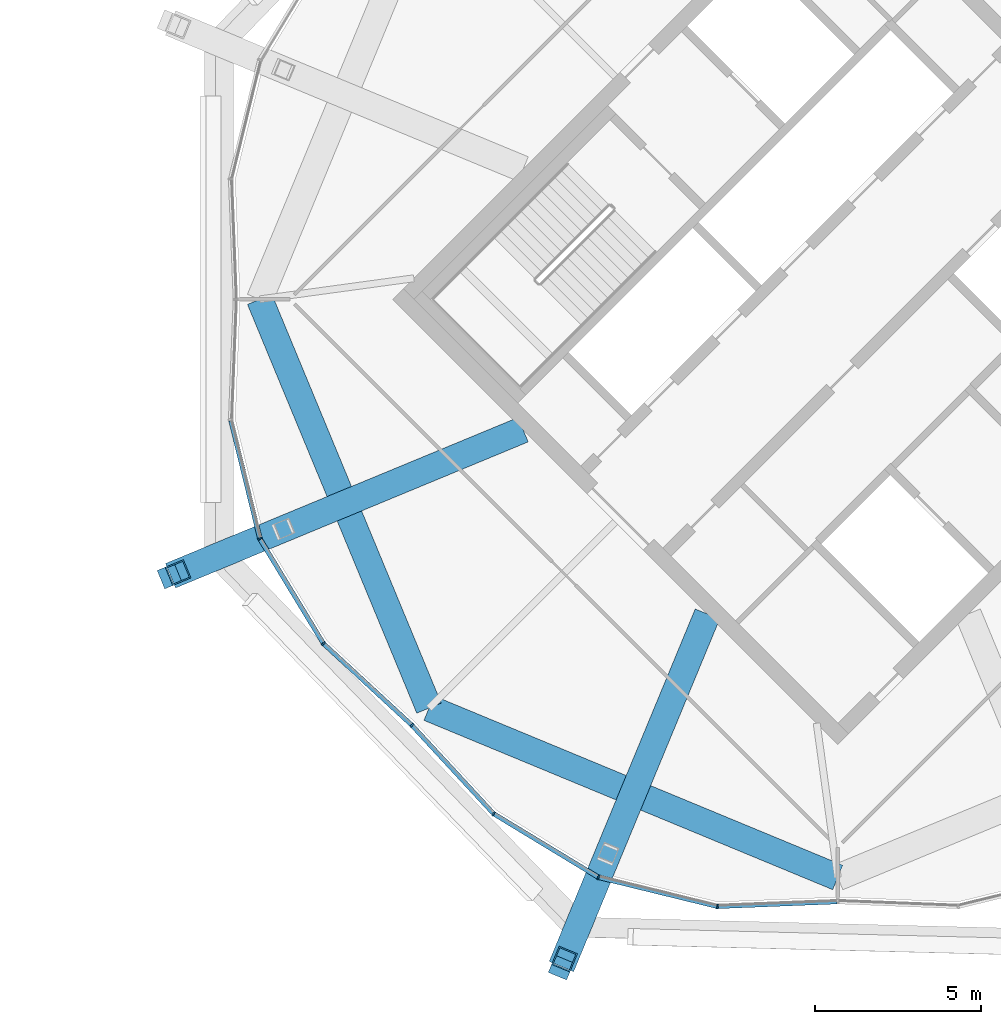
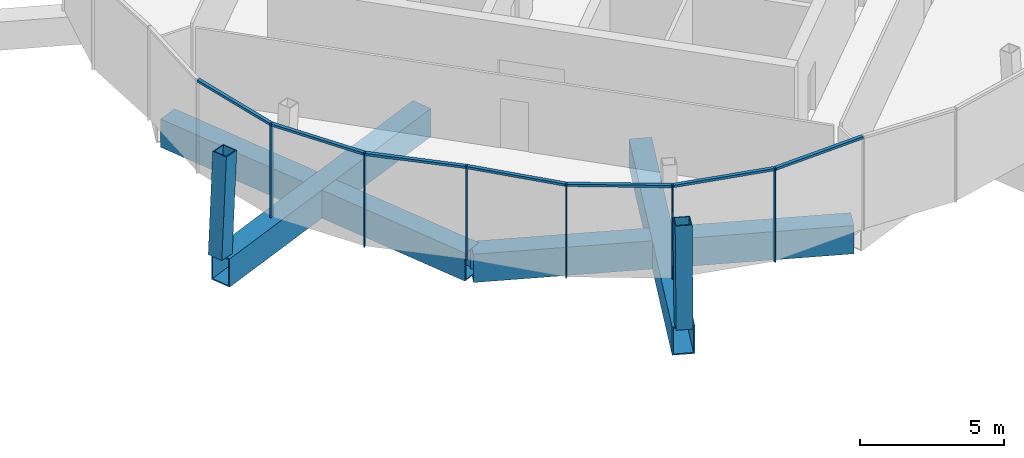
# One storey, part 14 of 34: 15 members, 4 beams, 2 elements without a shape of their own.
"""IFC4 building model written with IfcOpenShell, lengths in metres."""

from ifc_helpers import new_model, si_unit, direction, frame, origin, origin_2d, place, context, subcontext, project, spatial, rectangle, hollow_rectangle, extrude, material, material_profile, profile_set, type_object, element, aggregate, save


model = new_model("IFC4")

# Units and contexts
model_context = context("Model", 3, precision=1e-05, world=origin(), true_north=direction((0.0, 1.0)))
body_context = subcontext(model_context, "Body", "Model", "MODEL_VIEW")
ifc_project = project(units=[si_unit("LENGTHUNIT", "METRE"), si_unit("AREAUNIT", "SQUARE_METRE"), si_unit("VOLUMEUNIT", "CUBIC_METRE"), si_unit("PLANEANGLEUNIT", "RADIAN"), si_unit("MASSUNIT", "GRAM", prefix="KILO")], contexts=[model_context])

# Site, building, storey
site_placement = place(None, origin())
site = spatial("IfcSite", under=ifc_project, at=site_placement, CompositionType="ELEMENT")
building_placement = place(site_placement, origin())
building = spatial("IfcBuilding", under=site, at=building_placement, Name="Ogive Gate Towers", CompositionType="ELEMENT")
storey_placement = place(building_placement, frame((0.0, 0.0, 294.0)))
storey = spatial("IfcBuildingStorey", under=building, at=storey_placement, Name="L69", CompositionType="ELEMENT", Elevation=294.0)

# Curtain wall, members
ifc_material_1 = material(Name="Pale metal aluminium", Category="aluminium")
curtain_wall_type = type_object("IfcCurtainWallType", Name="Crown lean wall", PredefinedType="NOTDEFINED", material=ifc_material_1)
curtain_wall_1_placement = place(storey_placement, origin())
curtain_wall_1 = element("IfcCurtainWall", 1, at=curtain_wall_1_placement, inside=storey, type_object=curtain_wall_type, Name="CW5 T2 ECW05", PredefinedType="NOTDEFINED")
ifc_material_profile_1 = material_profile(ifc_material_1, rectangle(XDim=0.139892578125, YDim=0.050048828125, at=origin_2d()), Name="50 x 140 aluminium box")
ifc_profile_set_1 = profile_set([ifc_material_profile_1], Name="Pale metal aluminium")
member_type_1 = type_object("IfcMemberType", Name="Crown lean wall mullion 50 x 140", PredefinedType="MULLION", material=ifc_profile_set_1)
member_1_placement = place(storey_placement, frame((23.14208984375, -12.859619140625, -0.300048828125), z_axis=(0.0, 0.0, 1.0), x_axis=(0.678557197649, 0.734547567907, 0.0)))
member_1 = element("IfcMember", 2, at=member_1_placement, type_object=member_type_1, Name="CW5 mullion", PredefinedType="MULLION", context=body_context, shape_type="SweptSolid", body=[
    extrude(rectangle(XDim=0.139892578125, YDim=0.050048828125, at=origin_2d()), origin(), (0.0, 0.0, 1.0), 4.0),
])
member_2_placement = place(storey_placement, frame((20.470703125, -10.3916015625, -0.300048828125), z_axis=(0.0, 0.0, 1.0), x_axis=(0.77434847103, 0.632759389826, 0.0)))
member_2 = element("IfcMember", 3, at=member_2_placement, type_object=member_type_1, Name="CW5 mullion", PredefinedType="MULLION", context=body_context, shape_type="SweptSolid", body=[
    extrude(rectangle(XDim=0.139892578125, YDim=0.050048828125, at=origin_2d()), origin(), (0.0, 0.0, 1.0), 4.0),
])
member_3_placement = place(storey_placement, frame((18.551513671875, -7.227294921875, -0.300048828125), z_axis=(0.0, 0.0, 1.0), x_axis=(0.923879532511, 0.382683432365, 0.0)))
member_3 = element("IfcMember", 4, at=member_3_placement, type_object=member_type_1, Name="CW5 mullion", PredefinedType="MULLION", context=body_context, shape_type="SweptSolid", body=[
    extrude(rectangle(XDim=0.139892578125, YDim=0.050048828125, at=origin_2d()), origin(), (0.0, 0.0, 1.0), 4.0),
])

curtain_wall_2_placement = place(storey_placement, origin())
curtain_wall_2 = element("IfcCurtainWall", 5, at=curtain_wall_2_placement, inside=storey, type_object=curtain_wall_type, Name="CW5 T2 ECW06", PredefinedType="NOTDEFINED")
member_4_placement = place(storey_placement, frame((32.366943359375, -18.328857421875, -0.300048828125), z_axis=(0.0, 0.0, 1.0), x_axis=(0.100101233848, 0.99497725752, 0.0)))
member_4 = element("IfcMember", 6, at=member_4_placement, type_object=member_type_1, Name="CW5 mullion", PredefinedType="MULLION", context=body_context, shape_type="SweptSolid", body=[
    extrude(rectangle(XDim=0.139892578125, YDim=0.050048828125, at=origin_2d()), origin(), (0.0, 0.0, 1.0), 4.0),
])
member_5_placement = place(storey_placement, frame((28.772705078125, -17.448486328125, -0.300048828125), z_axis=(0.0, 0.0, 1.0), x_axis=(0.382683432365, 0.923879532511, 0.0)))
member_5 = element("IfcMember", 7, at=member_5_placement, type_object=member_type_1, Name="CW5 mullion", PredefinedType="MULLION", context=body_context, shape_type="SweptSolid", body=[
    extrude(rectangle(XDim=0.139892578125, YDim=0.050048828125, at=origin_2d()), origin(), (0.0, 0.0, 1.0), 4.0),
])
member_6_placement = place(storey_placement, frame((25.6083984375, -15.529296875, -0.300048828125), z_axis=(0.0, 0.0, 1.0), x_axis=(0.632759389826, 0.77434847103, 0.0)))
member_6 = element("IfcMember", 8, at=member_6_placement, type_object=member_type_1, Name="CW5 mullion", PredefinedType="MULLION", context=body_context, shape_type="SweptSolid", body=[
    extrude(rectangle(XDim=0.139892578125, YDim=0.050048828125, at=origin_2d()), origin(), (0.0, 0.0, 1.0), 4.0),
])

# Member
ifc_material_profile_2 = material_profile(ifc_material_1, rectangle(XDim=0.139892578125, YDim=0.10009765625, at=origin_2d()), Name="100 x 140 aluminium box")
ifc_profile_set_2 = profile_set([ifc_material_profile_2], Name="Pale metal aluminium")
member_type_2 = type_object("IfcMemberType", Name="Crown lean wall transom 100 x 140", PredefinedType="USERDEFINED", material=ifc_profile_set_2)
member_7_placement = place(storey_placement, frame((23.123779296875, -12.8427734375, 3.64990234375), z_axis=(-0.734557828346, 0.678546090414, 0.0), x_axis=(-0.678546090414, -0.734557828346, 0.0)))
member_7 = element("IfcMember", 9, at=member_7_placement, type_object=member_type_2, Name="CW5 transom", ObjectType="TRANSOM", PredefinedType="USERDEFINED", context=body_context, shape_type="SweptSolid", body=[
    extrude(rectangle(XDim=0.139892578125, YDim=0.10009765625, at=origin_2d()), origin(), (0.0, 0.0, 1.0), 3.582763671875),
])

member_8_placement = place(storey_placement, frame((20.455322265625, -10.36669921875, 3.64990234375), z_axis=(-0.518629997302, 0.854998787074, 0.0), x_axis=(-0.854998787074, -0.518629997302, 0.0)))
member_8 = element("IfcMember", 10, at=member_8_placement, type_object=member_type_2, Name="CW5 transom", ObjectType="TRANSOM", PredefinedType="USERDEFINED", context=body_context, shape_type="SweptSolid", body=[
    extrude(rectangle(XDim=0.139892578125, YDim=0.10009765625, at=origin_2d()), origin(), (0.0, 0.0, 1.0), 3.64208984375),
])

member_9_placement = place(storey_placement, frame((18.544189453125, -7.19873046875, 3.64990234375), z_axis=(-0.237911321475, 0.971286879925, 0.0), x_axis=(-0.971286879925, -0.237911321475, 0.0)))
member_9 = element("IfcMember", 11, at=member_9_placement, type_object=member_type_2, Name="CW5 transom", ObjectType="TRANSOM", PredefinedType="USERDEFINED", context=body_context, shape_type="SweptSolid", body=[
    extrude(rectangle(XDim=0.139892578125, YDim=0.10009765625, at=origin_2d()), origin(), (0.0, 0.0, 1.0), 3.641845703125),
])

aggregate(curtain_wall_1, [member_1, member_2, member_7, member_3, member_8, member_9])

member_10_placement = place(storey_placement, frame((35.976318359375, -18.18603515625, 3.64990234375), z_axis=(-0.99921601742, -0.039589778104, 0.0), x_axis=(0.039589778104, -0.99921601742, 0.0)))
member_10 = element("IfcMember", 12, at=member_10_placement, type_object=member_type_2, Name="CW5 transom", ObjectType="TRANSOM", PredefinedType="USERDEFINED", context=body_context, shape_type="SweptSolid", body=[
    extrude(rectangle(XDim=0.139892578125, YDim=0.10009765625, at=origin_2d()), origin(), (0.0, 0.0, 1.0), 3.5830078125),
])

member_11_placement = place(storey_placement, frame((32.338623046875, -18.322265625, 3.64990234375), z_axis=(-0.971286879925, 0.237911321475, 0.0), x_axis=(-0.237911321475, -0.971286879925, 0.0)))
member_11 = element("IfcMember", 13, at=member_11_placement, type_object=member_type_2, Name="CW5 transom", ObjectType="TRANSOM", PredefinedType="USERDEFINED", context=body_context, shape_type="SweptSolid", body=[
    extrude(rectangle(XDim=0.139892578125, YDim=0.10009765625, at=origin_2d()), origin(), (0.0, 0.0, 1.0), 3.641845703125),
])

member_12_placement = place(storey_placement, frame((28.747314453125, -17.43359375, 3.64990234375), z_axis=(-0.854998787074, 0.518629997302, 0.0), x_axis=(-0.518629997302, -0.854998787074, 0.0)))
member_12 = element("IfcMember", 14, at=member_12_placement, type_object=member_type_2, Name="CW5 transom", ObjectType="TRANSOM", PredefinedType="USERDEFINED", context=body_context, shape_type="SweptSolid", body=[
    extrude(rectangle(XDim=0.139892578125, YDim=0.10009765625, at=origin_2d()), origin(), (0.0, 0.0, 1.0), 3.64208984375),
])

member_13_placement = place(storey_placement, frame((25.58837890625, -15.508056640625, 3.64990234375), z_axis=(-0.678546090414, 0.734557828346, 0.0), x_axis=(-0.734557828346, -0.678546090414, 0.0)))
member_13 = element("IfcMember", 15, at=member_13_placement, type_object=member_type_2, Name="CW5 transom", ObjectType="TRANSOM", PredefinedType="USERDEFINED", context=body_context, shape_type="SweptSolid", body=[
    extrude(rectangle(XDim=0.139892578125, YDim=0.10009765625, at=origin_2d()), origin(), (0.0, 0.0, 1.0), 3.582763671875),
])

aggregate(curtain_wall_2, [member_4, member_10, member_5, member_11, member_6, member_12, member_13])

# Members
ifc_material_2 = material(Name="Steel SM460", Category="steel")
ifc_material_profile_3 = material_profile(ifc_material_2, hollow_rectangle(XDim=0.60009765625, YDim=0.60009765625, WallThickness=0.0400390625, at=origin_2d()), Name="BX 600x600x40")
ifc_profile_set_3 = profile_set([ifc_material_profile_3], Name="Steel SM460")
member_type_3 = type_object("IfcMemberType", Name="Crown rib BX 600x600x40", PredefinedType="MEMBER", material=ifc_profile_set_3)
for number, where, z_axis, x_axis, name in (
    (16, (15.840576171875, -8.350341796875, -0.25), (0.056420201971, 0.023393742281, 0.998133003979), (-0.3830150227, 0.923742113572, 0.0), "T2/L69/STR005"),
    (17, (27.649658203125, -20.159423828125, -0.25), (0.023393742281, 0.056420201971, 0.998133003979), (-0.923742113572, 0.3830150227, 0.0), "T2/L69/STR006"),
):
    element("IfcMember", number, at=place(storey_placement, frame(where, z_axis=z_axis, x_axis=x_axis)), inside=storey, type_object=member_type_3, Name=name, PredefinedType="MEMBER", context=body_context, shape_type="SweptSolid", body=[
        extrude(hollow_rectangle(XDim=0.60009765625, YDim=0.60009765625, WallThickness=0.0400390625, at=origin_2d()), origin(), (0.0, 0.0, 1.0), 4.258056640625),
    ])

# Beams
ifc_material_profile_4 = material_profile(ifc_material_2, hollow_rectangle(XDim=0.800048828125, YDim=1.199951171875, WallThickness=0.050048828125, at=origin_2d()), Name="BX 1200x800x50")
ifc_profile_set_4 = profile_set([ifc_material_profile_4], Name="Steel SM460")
beam_type_1 = type_object("IfcBeamType", Name="Edge girder BX 1200x800x50", PredefinedType="BEAM", material=ifc_profile_set_4)
for number, where, z_axis, x_axis, name in (
    (18, (23.657470703125, -12.342529296875, -0.89990234375), (0.923876732551, -0.382690191996, 0.0), (0.382690191996, 0.923876732551, 0.0), "T2/L69/SBM025"),
    (19, (18.544921875, 0.0, -0.89990234375), (0.382690191996, -0.923876732551, 0.0), (0.923876732551, 0.382690191996, 0.0), "T2/L69/SBM032"),
):
    element("IfcBeam", number, at=place(storey_placement, frame(where, z_axis=z_axis, x_axis=x_axis)), inside=storey, type_object=beam_type_1, Name=name, PredefinedType="BEAM", context=body_context, shape_type="SweptSolid", body=[
        extrude(hollow_rectangle(XDim=0.800048828125, YDim=1.199951171875, WallThickness=0.050048828125, at=origin_2d()), origin(), (0.0, 0.0, 1.0), 13.359619140625),
    ])
ifc_material_profile_5 = material_profile(ifc_material_2, hollow_rectangle(XDim=0.800048828125, YDim=1.199951171875, WallThickness=0.050048828125, at=origin_2d()), Name="BX 1200x800x50")
ifc_profile_set_5 = profile_set([ifc_material_profile_5], Name="Steel SM460")
beam_type_2 = type_object("IfcBeamType", Name="Transfer radial beam BX 1200x800x50", PredefinedType="BEAM", material=ifc_profile_set_5)
for number, where, z_axis, x_axis, name in (
    (20, (32.06494140625, -9.5, -0.89990234375), (-0.382684265017, -0.923879187615, 0.0), (0.923879187615, -0.382684265017, 0.0), "T2/L69/SBM010"),
    (21, (26.5, -3.93505859375, -0.89990234375), (-0.923879187615, -0.382684265017, 0.0), (0.382684265017, -0.923879187615, 0.0), "T2/L69/SBM024"),
):
    element("IfcBeam", number, at=place(storey_placement, frame(where, z_axis=z_axis, x_axis=x_axis)), inside=storey, type_object=beam_type_2, Name=name, PredefinedType="BEAM", context=body_context, shape_type="SweptSolid", body=[
        extrude(hollow_rectangle(XDim=0.800048828125, YDim=1.199951171875, WallThickness=0.050048828125, at=origin_2d()), origin(), (0.0, 0.0, 1.0), 11.5224609375),
    ])

save(model, "model.ifc")
